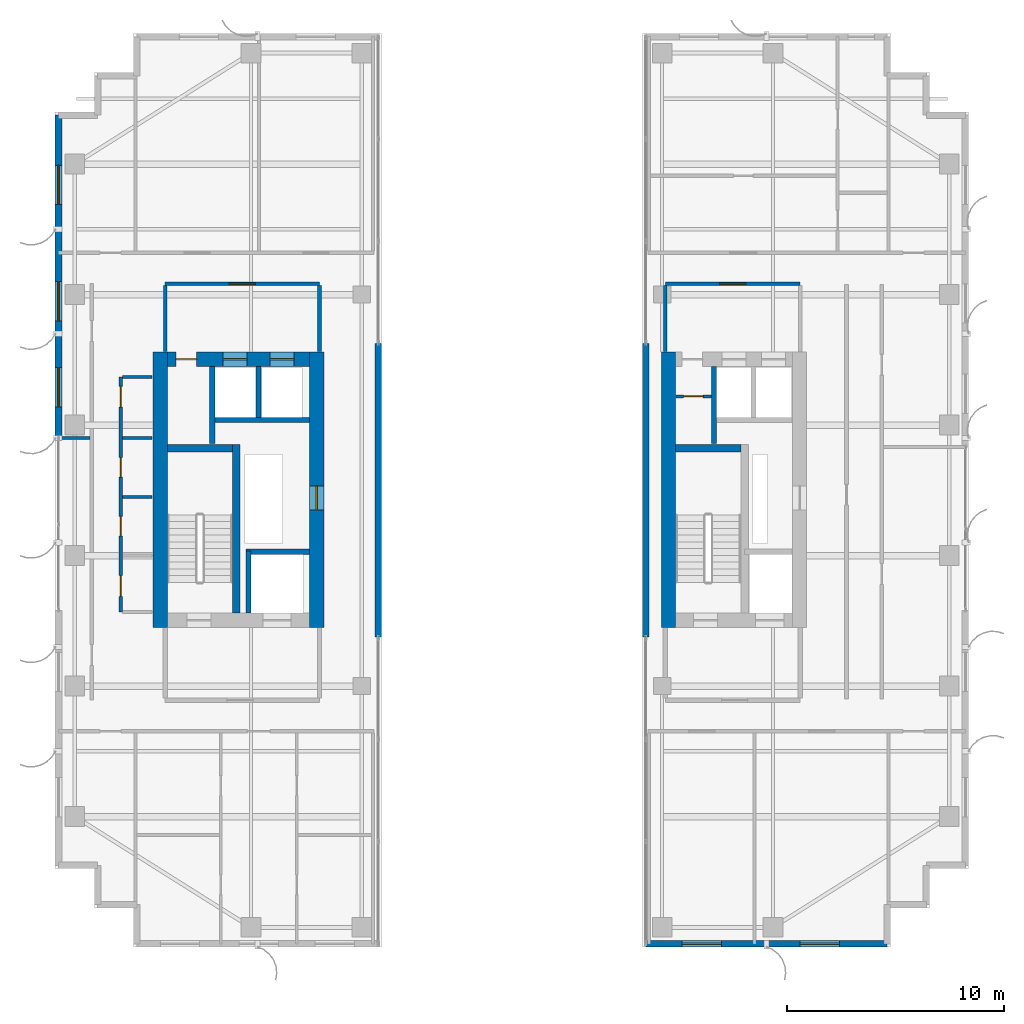
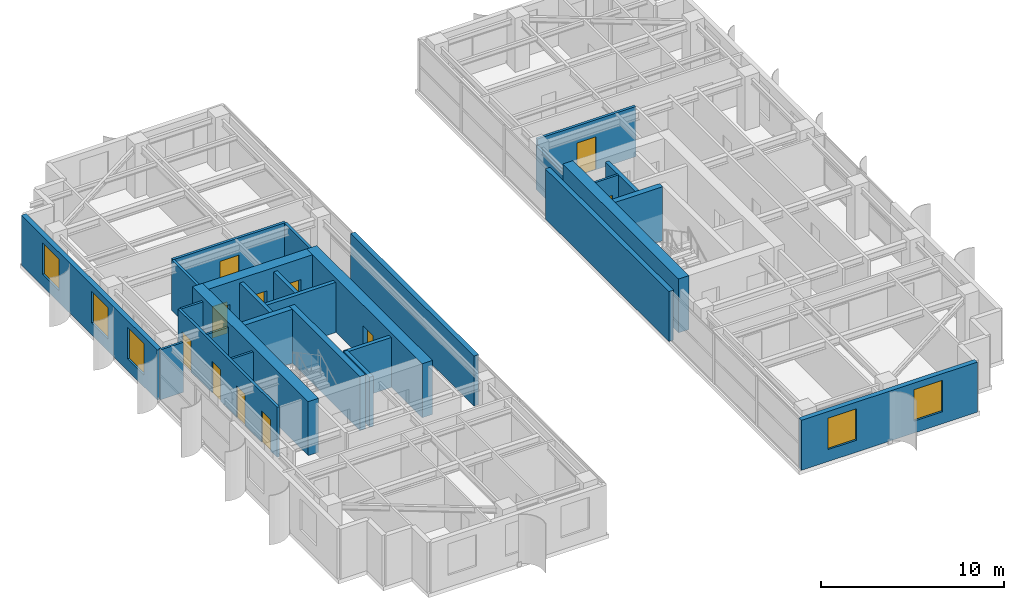
# One storey, part 17 of 22: 28 walls, 11 doors, 5 windows, 16 openings.
"""IFC4 building model written with IfcOpenShell, lengths in metres."""

from ifc_helpers import new_model, si_unit, direction, frame, frame_2d, origin, place, context, subcontext, project, spatial, rectangle, extrude, source, transform, mapped, material, layer, layer_set, type_object, element, fill, save


model = new_model("IFC4")

# Units and contexts
model_context = context("Model", 3, precision=1e-05, world=origin(), true_north=direction((0.0, 1.0)))
body_context = subcontext(model_context, "Body", "Model", "MODEL_VIEW")
ifc_project = project(units=[si_unit("LENGTHUNIT", "METRE"), si_unit("AREAUNIT", "SQUARE_METRE"), si_unit("VOLUMEUNIT", "CUBIC_METRE"), si_unit("PLANEANGLEUNIT", "RADIAN"), si_unit("MASSUNIT", "GRAM", prefix="KILO")], contexts=[model_context])

# Site, building, storey
site_placement = place(None, origin())
site = spatial("IfcSite", under=ifc_project, at=site_placement, CompositionType="ELEMENT")
building_placement = place(site_placement, origin())
building = spatial("IfcBuilding", under=site, at=building_placement, Name="Khoralis Quay Care Tower", CompositionType="ELEMENT")
storey_placement = place(building_placement, frame((0.0, 0.0, 209.699951171875)))
storey = spatial("IfcBuildingStorey", under=building, at=storey_placement, Name="L55", CompositionType="ELEMENT", Elevation=209.699951171875)

# Wall
ifc_material_1 = material(Name="Concrete C65/80", Category="concrete")
ifc_layer_1 = layer(ifc_material_1, 0.64990234375)
ifc_layer_set_1 = layer_set([ifc_layer_1], Name="Concrete C65/80")
wall_type_1 = type_object("IfcWallType", Name="WL-CORE-650", PredefinedType="SHEAR", material=ifc_layer_set_1)
wall_1_placement = place(storey_placement, frame((7.824951171875, 14.699951171875, 0.0), z_axis=(0.0, 0.0, 1.0), x_axis=(0.0, 1.0, 0.0)))
element("IfcWall", 1, at=wall_1_placement, inside=storey, type_object=wall_type_1, Name="L55 WCORE West Shear Wall", PredefinedType="SHEAR", context=body_context, shape_type="SweptSolid", body=[
    extrude(rectangle(XDim=12.650146484375, YDim=0.64990234375, at=frame_2d((6.3251953125, 0.0))), origin(), (0.0, 0.0, 1.0), 3.60009765625),
])

# Wall, opening, door
wall_2_placement = place(storey_placement, frame((15.02490234375, 14.699951171875, 0.0), z_axis=(0.0, 0.0, 1.0), x_axis=(0.0, 1.0, 0.0)))
wall_2 = element("IfcWall", 2, at=wall_2_placement, inside=storey, type_object=wall_type_1, Name="L55 WCORE East Shear Wall", PredefinedType="SHEAR", context=body_context, shape_type="SweptSolid", body=[
    extrude(rectangle(XDim=12.650146484375, YDim=0.64990234375, at=frame_2d((6.3251953125, 0.0))), origin(), (0.0, 0.0, 1.0), 3.60009765625),
])
opening_1_placement = place(wall_2_placement, frame((5.39990234375, 0.0, 0.0)))
opening_1 = element("IfcOpeningElement", 3, at=opening_1_placement, cuts=wall_2, Name="Opening SD1", PredefinedType="OPENING", context=body_context, shape_type="SweptSolid", body=[
    extrude(rectangle(XDim=1.10009765625, YDim=2.199951171875, at=frame_2d((0.550048828125, 1.10009765625))), frame((0.0, 0.3349609375, 0.0), z_axis=(0.0, -1.0, 0.0), x_axis=(1.0, 0.0, 0.0)), (0.0, 0.0, 1.0), 0.669921875),
])
ifc_material_2 = material(Name="Fire-rated painted steel", Category="steel")
door_type_1 = type_object("IfcDoorType", Name="DR-STAIR-1100X2200", OperationType="NOTDEFINED", PredefinedType="DOOR", material=ifc_material_2)
shared_shape_1 = source(origin(), body_context, "Body", "SweptSolid", [
    extrude(rectangle(XDim=1.10009765625, YDim=2.199951171875, at=frame_2d((0.550048828125, 1.10009765625))), frame((0.0, 0.02490234375, 0.0), z_axis=(0.0, -1.0, 0.0), x_axis=(1.0, 0.0, 0.0)), (0.0, 0.0, 1.0), 0.050048828125),
])
door_1_placement = place(opening_1_placement, origin())
door_1 = element("IfcDoor", 4, at=door_1_placement, inside=storey, type_object=door_type_1, Name="L55 West MEP Riser Door", OperationType="SINGLE_SWING_LEFT", OverallHeight=2.199951171875, OverallWidth=1.10009765625, PredefinedType="DOOR", context=body_context, shape_type="MappedRepresentation", body=[
    mapped(shared_shape_1, transform((0.0, 0.0, 0.0), scale=1.0)),
])
fill(opening_1, door_1)

# Wall, openings, doors
wall_3_placement = place(storey_placement, frame((8.14990234375, 27.02490234375, 0.0), z_axis=(0.0, 0.0, 1.0), x_axis=(1.0, 0.0, 0.0)))
wall_3 = element("IfcWall", 5, at=wall_3_placement, inside=storey, type_object=wall_type_1, Name="L55 WCORE North Shear Wall", PredefinedType="SHEAR", context=body_context, shape_type="SweptSolid", body=[
    extrude(rectangle(XDim=6.550048828125, YDim=0.64990234375, at=frame_2d((3.27490234375, 0.0))), origin(), (0.0, 0.0, 1.0), 3.60009765625),
])
opening_2_placement = place(wall_3_placement, frame((0.39990234375, 0.0, 0.0)))
opening_2 = element("IfcOpeningElement", 6, at=opening_2_placement, cuts=wall_3, Name="Opening ID1", PredefinedType="OPENING", context=body_context, shape_type="SweptSolid", body=[
    extrude(rectangle(XDim=0.949951171875, YDim=2.10009765625, at=frame_2d((0.47509765625, 1.050048828125))), frame((0.0, 0.3349609375, 0.0), z_axis=(0.0, -1.0, 0.0), x_axis=(1.0, 0.0, 0.0)), (0.0, 0.0, 1.0), 0.669921875),
])
opening_3_placement = place(wall_3_placement, frame((2.570068359375, 0.0, 0.0)))
opening_3 = element("IfcOpeningElement", 7, at=opening_3_placement, cuts=wall_3, Name="Opening LD1", PredefinedType="OPENING", context=body_context, shape_type="SweptSolid", body=[
    extrude(rectangle(XDim=1.10009765625, YDim=2.199951171875, at=frame_2d((0.550048828125, 1.10009765625))), frame((0.0, 0.3349609375, 0.0), z_axis=(0.0, -1.0, 0.0), x_axis=(1.0, 0.0, 0.0)), (0.0, 0.0, 1.0), 0.669921875),
])
opening_4_placement = place(wall_3_placement, frame((4.72998046875, 0.0, 0.0)))
opening_4 = element("IfcOpeningElement", 8, at=opening_4_placement, cuts=wall_3, Name="Opening LD1", PredefinedType="OPENING", context=body_context, shape_type="SweptSolid", body=[
    extrude(rectangle(XDim=1.10009765625, YDim=2.199951171875, at=frame_2d((0.550048828125, 1.10009765625))), frame((0.0, 0.3349609375, 0.0), z_axis=(0.0, -1.0, 0.0), x_axis=(1.0, 0.0, 0.0)), (0.0, 0.0, 1.0), 0.669921875),
])
ifc_material_3 = material(Name="Brushed stainless steel", Category="steel")
door_type_2 = type_object("IfcDoorType", Name="DR-LIFT-1100X2200", OperationType="SLIDING_TO_LEFT", PredefinedType="DOOR", material=ifc_material_3)
shared_shape_2 = source(origin(), body_context, "Body", "SweptSolid", [
    extrude(rectangle(XDim=1.10009765625, YDim=2.199951171875, at=frame_2d((0.550048828125, 1.10009765625))), frame((0.0, 0.02490234375, 0.0), z_axis=(0.0, -1.0, 0.0), x_axis=(1.0, 0.0, 0.0)), (0.0, 0.0, 1.0), 0.050048828125),
])
door_2_placement = place(opening_3_placement, origin())
door_2 = element("IfcDoor", 9, at=door_2_placement, inside=storey, type_object=door_type_2, Name="L55 Lift PLM1 Landing Door", OperationType="SLIDING_TO_LEFT", OverallHeight=2.199951171875, OverallWidth=1.10009765625, PredefinedType="DOOR", context=body_context, shape_type="MappedRepresentation", body=[
    mapped(shared_shape_2, transform((0.0, 0.0, 0.0), scale=1.0)),
])
fill(opening_3, door_2)
door_3_placement = place(opening_4_placement, origin())
door_3 = element("IfcDoor", 10, at=door_3_placement, inside=storey, type_object=door_type_2, Name="L55 Lift PLH1 Landing Door", OperationType="SLIDING_TO_LEFT", OverallHeight=2.199951171875, OverallWidth=1.10009765625, PredefinedType="DOOR", context=body_context, shape_type="MappedRepresentation", body=[
    mapped(shared_shape_2, transform((0.0, 0.0, 0.0), scale=1.0)),
])
fill(opening_4, door_3)
ifc_material_4 = material(Name="Acoustic hardwood timber", Category="wood")
door_type_3 = type_object("IfcDoorType", Name="DR-ROOM-950X2100", OperationType="NOTDEFINED", PredefinedType="DOOR", material=ifc_material_4)
shared_shape_3 = source(origin(), body_context, "Body", "SweptSolid", [
    extrude(rectangle(XDim=0.949951171875, YDim=2.10009765625, at=frame_2d((0.47509765625, 1.050048828125))), frame((0.0, 0.02490234375, 0.0), z_axis=(0.0, -1.0, 0.0), x_axis=(1.0, 0.0, 0.0)), (0.0, 0.0, 1.0), 0.050048828125),
])
door_4_placement = place(opening_2_placement, frame((0.949951171875, 0.0, 0.0), z_axis=(0.0, 0.0, 1.0), x_axis=(-1.0, 0.0, 0.0)))
door_4 = element("IfcDoor", 11, at=door_4_placement, inside=storey, type_object=door_type_3, Name="L55 Medication Room Door", OperationType="SINGLE_SWING_LEFT", OverallHeight=2.10009765625, OverallWidth=0.949951171875, PredefinedType="DOOR", context=body_context, shape_type="MappedRepresentation", body=[
    mapped(shared_shape_3, transform((0.0, 0.0, 0.0), scale=1.0)),
])
fill(opening_2, door_4)

# Wall
wall_4_placement = place(storey_placement, frame((31.195068359375, 14.699951171875, 0.0), z_axis=(0.0, 0.0, 1.0), x_axis=(0.0, 1.0, 0.0)))
element("IfcWall", 12, at=wall_4_placement, inside=storey, type_object=wall_type_1, Name="L55 ECORE West Shear Wall", PredefinedType="SHEAR", context=body_context, shape_type="SweptSolid", body=[
    extrude(rectangle(XDim=12.650146484375, YDim=0.64990234375, at=frame_2d((6.3251953125, 0.0))), origin(), (0.0, 0.0, 1.0), 3.60009765625),
])

# Wall, opening, door
ifc_material_5 = material(Name="Gypsum plasterboard on acoustic metal stud")
ifc_layer_2 = layer(ifc_material_5, 0.1650390625)
ifc_layer_set_2 = layer_set([ifc_layer_2], Name="Gypsum plasterboard on acoustic metal stud")
wall_type_2 = type_object("IfcWallType", Name="WL-CORR-165", PredefinedType="PARTITIONING", material=ifc_layer_set_2)
wall_5_placement = place(storey_placement, frame((8.050048828125, 30.5, 0.0), z_axis=(0.0, 0.0, 1.0), x_axis=(1.0, 0.0, 0.0)))
wall_5 = element("IfcWall", 13, at=wall_5_placement, inside=storey, type_object=wall_type_2, Name="L55 West Lift Lobby North Wall", PredefinedType="PARTITIONING", context=body_context, shape_type="SweptSolid", body=[
    extrude(rectangle(XDim=7.099853515625, YDim=0.1650390625, at=frame_2d((3.5498046875, 0.0))), origin(), (0.0, 0.0, 1.0), 3.340087890625),
])
opening_5_placement = place(wall_5_placement, frame((2.949951171875, 0.0, 0.0)))
opening_5 = element("IfcOpeningElement", 14, at=opening_5_placement, cuts=wall_5, Name="Opening FD1", PredefinedType="OPENING", context=body_context, shape_type="SweptSolid", body=[
    extrude(rectangle(XDim=1.199951171875, YDim=2.199951171875, at=frame_2d((0.60009765625, 1.10009765625))), frame((0.0, 0.092529296875, 0.0), z_axis=(0.0, -1.0, 0.0), x_axis=(1.0, 0.0, 0.0)), (0.0, 0.0, 1.0), 0.18505859375),
])
door_type_4 = type_object("IfcDoorType", Name="DR-FFL-1200X2200", OperationType="NOTDEFINED", PredefinedType="DOOR", material=ifc_material_2)
shared_shape_4 = source(origin(), body_context, "Body", "SweptSolid", [
    extrude(rectangle(XDim=1.199951171875, YDim=2.199951171875, at=frame_2d((0.60009765625, 1.10009765625))), frame((0.0, 0.02490234375, 0.0), z_axis=(0.0, -1.0, 0.0), x_axis=(1.0, 0.0, 0.0)), (0.0, 0.0, 1.0), 0.050048828125),
])
door_5_placement = place(opening_5_placement, origin())
door_5 = element("IfcDoor", 15, at=door_5_placement, inside=storey, type_object=door_type_4, Name="L55 West Lift Lobby Double Door", OperationType="DOUBLE_DOOR_SINGLE_SWING", OverallHeight=2.199951171875, OverallWidth=1.199951171875, PredefinedType="DOOR", context=body_context, shape_type="MappedRepresentation", body=[
    mapped(shared_shape_4, transform((0.0, 0.0, 0.0), scale=1.0)),
])
fill(opening_5, door_5)

# Walls
for number, where, z_axis, x_axis, name in (
    (16, (8.050048828125, 27.3701171875, 0.0), (0.0, 0.0, 1.0), (0.0, 1.0, 0.0), "L55 West Lift Lobby West Wall"),
    (17, (15.14990234375, 27.3701171875, 0.0), (0.0, 0.0, 1.0), (0.0, 1.0, 0.0), "L55 West Lift Lobby East Wall"),
):
    element("IfcWall", number, at=place(storey_placement, frame(where, z_axis=z_axis, x_axis=x_axis)), inside=storey, type_object=wall_type_2, Name=name, PredefinedType="PARTITIONING", context=body_context, shape_type="SweptSolid", body=[
        extrude(rectangle(XDim=3.052490234375, YDim=0.1650390625, at=frame_2d((1.5263671875, 0.0))), origin(), (0.0, 0.0, 1.0), 3.340087890625),
    ])

# Wall, opening, door
wall_6_placement = place(storey_placement, frame((31.050048828125, 30.5, 0.0), z_axis=(0.0, 0.0, 1.0), x_axis=(1.0, 0.0, 0.0)))
wall_6 = element("IfcWall", 18, at=wall_6_placement, inside=storey, type_object=wall_type_2, Name="L55 East Lift Lobby North Wall", PredefinedType="PARTITIONING", context=body_context, shape_type="SweptSolid", body=[
    extrude(rectangle(XDim=6.199951171875, YDim=0.1650390625, at=frame_2d((3.10009765625, 0.0))), origin(), (0.0, 0.0, 1.0), 3.340087890625),
])
opening_6_placement = place(wall_6_placement, frame((2.5, 0.0, 0.0)))
opening_6 = element("IfcOpeningElement", 19, at=opening_6_placement, cuts=wall_6, Name="Opening FD1", PredefinedType="OPENING", context=body_context, shape_type="SweptSolid", body=[
    extrude(rectangle(XDim=1.199951171875, YDim=2.199951171875, at=frame_2d((0.60009765625, 1.10009765625))), frame((0.0, 0.092529296875, 0.0), z_axis=(0.0, -1.0, 0.0), x_axis=(1.0, 0.0, 0.0)), (0.0, 0.0, 1.0), 0.18505859375),
])
door_6_placement = place(opening_6_placement, origin())
door_6 = element("IfcDoor", 20, at=door_6_placement, inside=storey, type_object=door_type_4, Name="L55 East Lift Lobby Double Door", OperationType="DOUBLE_DOOR_SINGLE_SWING", OverallHeight=2.199951171875, OverallWidth=1.199951171875, PredefinedType="DOOR", context=body_context, shape_type="MappedRepresentation", body=[
    mapped(shared_shape_4, transform((0.0, 0.0, 0.0), scale=1.0)),
])
fill(opening_6, door_6)

# Wall
wall_7_placement = place(storey_placement, frame((31.050048828125, 27.3701171875, 0.0), z_axis=(0.0, 0.0, 1.0), x_axis=(0.0, 1.0, 0.0)))
element("IfcWall", 21, at=wall_7_placement, inside=storey, type_object=wall_type_2, Name="L55 East Lift Lobby West Wall", PredefinedType="PARTITIONING", context=body_context, shape_type="SweptSolid", body=[
    extrude(rectangle(XDim=3.052490234375, YDim=0.1650390625, at=frame_2d((1.5263671875, 0.0))), origin(), (0.0, 0.0, 1.0), 2.881103515625),
])

# Wall, openings, doors
wall_8_placement = place(storey_placement, frame((6.02001953125, 15.39990234375, 0.0), z_axis=(0.0, 0.0, 1.0), x_axis=(0.0, 1.0, 0.0)))
wall_8 = element("IfcWall", 22, at=wall_8_placement, inside=storey, type_object=wall_type_2, Name="L55 West Core Service Flank Wall", PredefinedType="PARTITIONING", context=body_context, shape_type="SweptSolid", body=[
    extrude(rectangle(XDim=10.800048828125, YDim=0.1650390625, at=frame_2d((5.39990234375, 0.0))), origin(), (0.0, 0.0, 1.0), 3.340087890625),
])
opening_7_placement = place(wall_8_placement, frame((0.72509765625, 0.0, 0.0)))
opening_7 = element("IfcOpeningElement", 23, at=opening_7_placement, cuts=wall_8, Name="Opening ID1", PredefinedType="OPENING", context=body_context, shape_type="SweptSolid", body=[
    extrude(rectangle(XDim=0.949951171875, YDim=2.10009765625, at=frame_2d((0.47509765625, 1.050048828125))), frame((0.0, 0.092529296875, 0.0), z_axis=(0.0, -1.0, 0.0), x_axis=(1.0, 0.0, 0.0)), (0.0, 0.0, 1.0), 0.18505859375),
])
opening_8_placement = place(wall_8_placement, frame((3.5, 0.0, 0.0)))
opening_8 = element("IfcOpeningElement", 24, at=opening_8_placement, cuts=wall_8, Name="Opening WD1", PredefinedType="OPENING", context=body_context, shape_type="SweptSolid", body=[
    extrude(rectangle(XDim=0.89990234375, YDim=2.10009765625, at=frame_2d((0.449951171875, 1.050048828125))), frame((0.0, 0.092529296875, 0.0), z_axis=(0.0, -1.0, 0.0), x_axis=(1.0, 0.0, 0.0)), (0.0, 0.0, 1.0), 0.18505859375),
])
opening_9_placement = place(wall_8_placement, frame((6.199951171875, 0.0, 0.0)))
opening_9 = element("IfcOpeningElement", 25, at=opening_9_placement, cuts=wall_8, Name="Opening WD1", PredefinedType="OPENING", context=body_context, shape_type="SweptSolid", body=[
    extrude(rectangle(XDim=0.89990234375, YDim=2.10009765625, at=frame_2d((0.449951171875, 1.050048828125))), frame((0.0, 0.092529296875, 0.0), z_axis=(0.0, -1.0, 0.0), x_axis=(1.0, 0.0, 0.0)), (0.0, 0.0, 1.0), 0.18505859375),
])
opening_10_placement = place(wall_8_placement, frame((9.425048828125, 0.0, 0.0)))
opening_10 = element("IfcOpeningElement", 26, at=opening_10_placement, cuts=wall_8, Name="Opening ID1", PredefinedType="OPENING", context=body_context, shape_type="SweptSolid", body=[
    extrude(rectangle(XDim=0.949951171875, YDim=2.10009765625, at=frame_2d((0.47509765625, 1.050048828125))), frame((0.0, 0.092529296875, 0.0), z_axis=(0.0, -1.0, 0.0), x_axis=(1.0, 0.0, 0.0)), (0.0, 0.0, 1.0), 0.18505859375),
])
door_type_5 = type_object("IfcDoorType", Name="DR-BATH-900X2100", OperationType="NOTDEFINED", PredefinedType="DOOR", material=ifc_material_4)
shared_shape_5 = source(origin(), body_context, "Body", "SweptSolid", [
    extrude(rectangle(XDim=0.89990234375, YDim=2.10009765625, at=frame_2d((0.449951171875, 1.050048828125))), frame((0.0, 0.02490234375, 0.0), z_axis=(0.0, -1.0, 0.0), x_axis=(1.0, 0.0, 0.0)), (0.0, 0.0, 1.0), 0.050048828125),
])
door_7_placement = place(opening_8_placement, frame((0.89990234375, 0.0, 0.0), z_axis=(0.0, 0.0, 1.0), x_axis=(-1.0, 0.0, 0.0)))
door_7 = element("IfcDoor", 27, at=door_7_placement, inside=storey, type_object=door_type_5, Name="L55 Public Accessible WC Door", OperationType="SINGLE_SWING_LEFT", OverallHeight=2.10009765625, OverallWidth=0.89990234375, PredefinedType="DOOR", context=body_context, shape_type="MappedRepresentation", body=[
    mapped(shared_shape_5, transform((0.0, 0.0, 0.0), scale=1.0)),
])
fill(opening_8, door_7)
door_8_placement = place(opening_9_placement, frame((0.89990234375, 0.0, 0.0), z_axis=(0.0, 0.0, 1.0), x_axis=(-1.0, 0.0, 0.0)))
door_8 = element("IfcDoor", 28, at=door_8_placement, inside=storey, type_object=door_type_5, Name="L55 Staff Accessible WC Door", OperationType="SINGLE_SWING_RIGHT", OverallHeight=2.10009765625, OverallWidth=0.89990234375, PredefinedType="DOOR", context=body_context, shape_type="MappedRepresentation", body=[
    mapped(shared_shape_5, transform((0.0, 0.0, 0.0), scale=1.0)),
])
fill(opening_9, door_8)
door_9_placement = place(opening_7_placement, frame((0.949951171875, 0.0, 0.0), z_axis=(0.0, 0.0, 1.0), x_axis=(-1.0, 0.0, 0.0)))
door_9 = element("IfcDoor", 29, at=door_9_placement, inside=storey, type_object=door_type_3, Name="L55 Housekeeping Store Door", OperationType="SINGLE_SWING_RIGHT", OverallHeight=2.10009765625, OverallWidth=0.949951171875, PredefinedType="DOOR", context=body_context, shape_type="MappedRepresentation", body=[
    mapped(shared_shape_3, transform((0.0, 0.0, 0.0), scale=1.0)),
])
fill(opening_7, door_9)
door_10_placement = place(opening_10_placement, frame((0.949951171875, 0.0, 0.0), z_axis=(0.0, 0.0, 1.0), x_axis=(-1.0, 0.0, 0.0)))
door_10 = element("IfcDoor", 30, at=door_10_placement, inside=storey, type_object=door_type_3, Name="L55 Telecom IDF Room Door", OperationType="SINGLE_SWING_LEFT", OverallHeight=2.10009765625, OverallWidth=0.949951171875, PredefinedType="DOOR", context=body_context, shape_type="MappedRepresentation", body=[
    mapped(shared_shape_3, transform((0.0, 0.0, 0.0), scale=1.0)),
])
fill(opening_10, door_10)

# Wall
ifc_material_6 = material(Name="Precast concrete C45/55", Category="concrete")
ifc_layer_3 = layer(ifc_material_6, 0.300048828125)
ifc_layer_set_3 = layer_set([ifc_layer_3], Name="Precast concrete C45/55")
wall_type_3 = type_object("IfcWallType", Name="WL-EXT-REF-300", PredefinedType="SOLIDWALL", material=ifc_layer_set_3)
wall_9_placement = place(storey_placement, frame((17.85009765625, 14.25, 0.0), z_axis=(0.0, 0.0, 1.0), x_axis=(0.0, 1.0, 0.0)))
element("IfcWall", 31, at=wall_9_placement, inside=storey, type_object=wall_type_3, Name="L55 External Facade Wall WL-VP-L55-P1-M", PredefinedType="SOLIDWALL", context=body_context, shape_type="SweptSolid", body=[
    extrude(rectangle(XDim=13.5, YDim=0.300048828125, at=frame_2d((6.75, 0.0))), origin(), (0.0, 0.0, 1.0), 3.340087890625),
])

# Wall, openings, windows
wall_10_placement = place(storey_placement, frame((3.14990234375, 38.25, 0.0), z_axis=(0.0, 0.0, 1.0), x_axis=(0.0, -1.0, 0.0)))
wall_10 = element("IfcWall", 32, at=wall_10_placement, inside=storey, type_object=wall_type_3, Name="L55 External Facade Wall WL-EXT-L55-P1-E7A", PredefinedType="SOLIDWALL", context=body_context, shape_type="SweptSolid", body=[
    extrude(rectangle(XDim=14.85009765625, YDim=0.300048828125, at=frame_2d((7.425048828125, 0.0))), origin(), (0.0, 0.0, 1.0), 3.340087890625),
])
opening_11_placement = place(wall_10_placement, frame((2.31005859375, 0.0, 0.800048828125)))
opening_11 = element("IfcOpeningElement", 33, at=opening_11_placement, cuts=wall_10, Name="Opening W2", PredefinedType="OPENING", context=body_context, shape_type="SweptSolid", body=[
    extrude(rectangle(XDim=1.800048828125, YDim=2.10009765625, at=frame_2d((0.89990234375, 1.050048828125))), frame((0.0, 0.16015625, 0.0), z_axis=(0.0, -1.0, 0.0), x_axis=(1.0, 0.0, 0.0)), (0.0, 0.0, 1.0), 0.320068359375),
])
opening_12_placement = place(wall_10_placement, frame((7.657470703125, 0.0, 0.800048828125)))
opening_12 = element("IfcOpeningElement", 34, at=opening_12_placement, cuts=wall_10, Name="Opening W2", PredefinedType="OPENING", context=body_context, shape_type="SweptSolid", body=[
    extrude(rectangle(XDim=1.800048828125, YDim=2.10009765625, at=frame_2d((0.89990234375, 1.050048828125))), frame((0.0, 0.16015625, 0.0), z_axis=(0.0, -1.0, 0.0), x_axis=(1.0, 0.0, 0.0)), (0.0, 0.0, 1.0), 0.320068359375),
])
opening_13_placement = place(wall_10_placement, frame((11.612548828125, 0.0, 0.800048828125)))
opening_13 = element("IfcOpeningElement", 35, at=opening_13_placement, cuts=wall_10, Name="Opening W2", PredefinedType="OPENING", context=body_context, shape_type="SweptSolid", body=[
    extrude(rectangle(XDim=1.800048828125, YDim=2.10009765625, at=frame_2d((0.89990234375, 1.050048828125))), frame((0.0, 0.16015625, 0.0), z_axis=(0.0, -1.0, 0.0), x_axis=(1.0, 0.0, 0.0)), (0.0, 0.0, 1.0), 0.320068359375),
])
ifc_material_7 = material(Name="Low-E solar-control double glazing", Category="glass")
window_type = type_object("IfcWindowType", Name="WN-POD-1800X2100", PartitioningType="SINGLE_PANEL", PredefinedType="WINDOW", material=ifc_material_7)
shared_shape_6 = source(origin(), body_context, "Body", "SweptSolid", [
    extrude(rectangle(XDim=1.800048828125, YDim=2.10009765625, at=frame_2d((0.89990234375, 1.050048828125))), frame((0.0, 0.030029296875, 0.0), z_axis=(0.0, -1.0, 0.0), x_axis=(1.0, 0.0, 0.0)), (0.0, 0.0, 1.0), 0.06005859375),
])
window_1_placement = place(opening_11_placement, origin())
window_1 = element("IfcWindow", 36, at=window_1_placement, inside=storey, type_object=window_type, Name="WN-L55-P1-E7A Facade Window 01", OverallHeight=2.10009765625, OverallWidth=1.800048828125, PartitioningType="SINGLE_PANEL", PredefinedType="WINDOW", context=body_context, shape_type="MappedRepresentation", body=[
    mapped(shared_shape_6, transform((0.0, 0.0, 0.0), scale=1.0)),
])
fill(opening_11, window_1)
window_2_placement = place(opening_12_placement, origin())
window_2 = element("IfcWindow", 37, at=window_2_placement, inside=storey, type_object=window_type, Name="WN-L55-P1-E7A Facade Window 02", OverallHeight=2.10009765625, OverallWidth=1.800048828125, PartitioningType="SINGLE_PANEL", PredefinedType="WINDOW", context=body_context, shape_type="MappedRepresentation", body=[
    mapped(shared_shape_6, transform((0.0, 0.0, 0.0), scale=1.0)),
])
fill(opening_12, window_2)
window_3_placement = place(opening_13_placement, origin())
window_3 = element("IfcWindow", 38, at=window_3_placement, inside=storey, type_object=window_type, Name="WN-L55-P1-E7A Facade Window 03", OverallHeight=2.10009765625, OverallWidth=1.800048828125, PartitioningType="SINGLE_PANEL", PredefinedType="WINDOW", context=body_context, shape_type="MappedRepresentation", body=[
    mapped(shared_shape_6, transform((0.0, 0.0, 0.0), scale=1.0)),
])
fill(opening_13, window_3)

wall_11_placement = place(storey_placement, frame((30.14990234375, 0.14990234375, 0.0), z_axis=(0.0, 0.0, 1.0), x_axis=(1.0, 0.0, 0.0)))
wall_11 = element("IfcWall", 39, at=wall_11_placement, inside=storey, type_object=wall_type_3, Name="L55 External Facade Wall WL-EXT-L55-P2-E0", PredefinedType="SOLIDWALL", context=body_context, shape_type="SweptSolid", body=[
    extrude(rectangle(XDim=11.10009765625, YDim=0.300048828125, at=frame_2d((5.550048828125, 0.0))), origin(), (0.0, 0.0, 1.0), 3.340087890625),
])
opening_14_placement = place(wall_11_placement, frame((1.675048828125, 0.0, 0.800048828125)))
opening_14 = element("IfcOpeningElement", 40, at=opening_14_placement, cuts=wall_11, Name="Opening W2", PredefinedType="OPENING", context=body_context, shape_type="SweptSolid", body=[
    extrude(rectangle(XDim=1.800048828125, YDim=2.10009765625, at=frame_2d((0.89990234375, 1.050048828125))), frame((0.0, 0.16015625, 0.0), z_axis=(0.0, -1.0, 0.0), x_axis=(1.0, 0.0, 0.0)), (0.0, 0.0, 1.0), 0.320068359375),
])
opening_15_placement = place(wall_11_placement, frame((7.10009765625, 0.0, 0.800048828125)))
opening_15 = element("IfcOpeningElement", 41, at=opening_15_placement, cuts=wall_11, Name="Opening W2", PredefinedType="OPENING", context=body_context, shape_type="SweptSolid", body=[
    extrude(rectangle(XDim=1.800048828125, YDim=2.10009765625, at=frame_2d((0.89990234375, 1.050048828125))), frame((0.0, 0.16015625, 0.0), z_axis=(0.0, -1.0, 0.0), x_axis=(1.0, 0.0, 0.0)), (0.0, 0.0, 1.0), 0.320068359375),
])
window_4_placement = place(opening_14_placement, origin())
window_4 = element("IfcWindow", 42, at=window_4_placement, inside=storey, type_object=window_type, Name="WN-L55-P2-E0 Facade Window 01", OverallHeight=2.10009765625, OverallWidth=1.800048828125, PartitioningType="SINGLE_PANEL", PredefinedType="WINDOW", context=body_context, shape_type="MappedRepresentation", body=[
    mapped(shared_shape_6, transform((0.0, 0.0, 0.0), scale=1.0)),
])
fill(opening_14, window_4)
window_5_placement = place(opening_15_placement, origin())
window_5 = element("IfcWindow", 43, at=window_5_placement, inside=storey, type_object=window_type, Name="WN-L55-P2-E0 Facade Window 02", OverallHeight=2.10009765625, OverallWidth=1.800048828125, PartitioningType="SINGLE_PANEL", PredefinedType="WINDOW", context=body_context, shape_type="MappedRepresentation", body=[
    mapped(shared_shape_6, transform((0.0, 0.0, 0.0), scale=1.0)),
])
fill(opening_15, window_5)

# Walls
wall_12_placement = place(storey_placement, frame((30.14990234375, 14.25, 0.0), z_axis=(0.0, 0.0, 1.0), x_axis=(0.0, 1.0, 0.0)))
element("IfcWall", 44, at=wall_12_placement, inside=storey, type_object=wall_type_3, Name="L55 External Facade Wall WL-VP-L55-P2-M", PredefinedType="SOLIDWALL", context=body_context, shape_type="SweptSolid", body=[
    extrude(rectangle(XDim=13.5, YDim=0.300048828125, at=frame_2d((6.75, 0.0))), origin(), (0.0, 0.0, 1.0), 3.340087890625),
])
ifc_material_8 = material(Name="Moisture-resistant gypsum and ceramic tile")
ifc_layer_4 = layer(ifc_material_8, 0.280029296875)
ifc_layer_set_4 = layer_set([ifc_layer_4], Name="Moisture-resistant gypsum and ceramic tile")
wall_type_4 = type_object("IfcWallType", Name="WL-PLUMB-280", PredefinedType="PLUMBINGWALL", material=ifc_layer_set_4)
wall_13_placement = place(storey_placement, frame((6.097412109375, 20.699951171875, 0.0), z_axis=(0.0, 0.0, 1.0), x_axis=(1.0, 0.0, 0.0)))
element("IfcWall", 45, at=wall_13_placement, inside=storey, type_object=wall_type_4, Name="L55 West Flank Divider 2", PredefinedType="PLUMBINGWALL", context=body_context, shape_type="SweptSolid", body=[
    extrude(rectangle(XDim=1.362548828125, YDim=0.139892578125, at=frame_2d((0.68115234375, 0.0))), origin(), (0.0, 0.0, 1.0), 3.340087890625),
])
ifc_material_9 = material(Name="Concrete C40/50", Category="concrete")
ifc_layer_5 = layer(ifc_material_9, 0.35009765625)
ifc_layer_set_5 = layer_set([ifc_layer_5], Name="Concrete C40/50")
wall_type_5 = type_object("IfcWallType", Name="WL-SC-CORE-350", PredefinedType="SHEAR", material=ifc_layer_set_5)
wall_14_placement = place(storey_placement, frame((11.324951171875, 15.35009765625, 0.0), z_axis=(0.0, 0.0, 1.0), x_axis=(0.0, 1.0, 0.0)))
element("IfcWall", 46, at=wall_14_placement, inside=storey, type_object=wall_type_5, Name="L55 Stair ST-T1 Shear Baffle Wall East", PredefinedType="SHEAR", context=body_context, shape_type="SweptSolid", body=[
    extrude(rectangle(XDim=7.75, YDim=0.35009765625, at=frame_2d((3.875, 0.0))), origin(), (0.0, 0.0, 1.0), 3.60009765625),
])
for number, where, z_axis, x_axis, name in (
    (47, (8.14990234375, 22.925048828125, 0.0), (0.0, 0.0, 1.0), (1.0, 0.0, 0.0), "L55 Stair ST-T1 Shear Baffle Wall North"),
    (48, (31.52001953125, 22.925048828125, 0.0), (0.0, 0.0, 1.0), (1.0, 0.0, 0.0), "L55 Stair ST-T2 Shear Baffle Wall North"),
):
    element("IfcWall", number, at=place(storey_placement, frame(where, z_axis=z_axis, x_axis=x_axis)), inside=storey, type_object=wall_type_5, Name=name, PredefinedType="SHEAR", context=body_context, shape_type="SweptSolid", body=[
        extrude(rectangle(XDim=3.0, YDim=0.35009765625, at=frame_2d((1.5, 0.0))), origin(), (0.0, 0.0, 1.0), 3.60009765625),
    ])
ifc_layer_6 = layer(ifc_material_5, 0.239990234375)
ifc_layer_set_6 = layer_set([ifc_layer_6], Name="Gypsum plasterboard on acoustic metal stud")
wall_type_6 = type_object("IfcWallType", Name="WL-SHAFT-240", PredefinedType="PARTITIONING", material=ifc_layer_set_6)
wall_15_placement = place(storey_placement, frame((11.8798828125, 15.35009765625, 0.0), z_axis=(0.0, 0.0, 1.0), x_axis=(0.0, 1.0, 0.0)))
element("IfcWall", 49, at=wall_15_placement, inside=storey, type_object=wall_type_6, Name="L55 FFL-1 Shaft Wall West", PredefinedType="PARTITIONING", context=body_context, shape_type="SweptSolid", body=[
    extrude(rectangle(XDim=2.849853515625, YDim=0.239990234375, at=frame_2d((1.4248046875, 0.0))), origin(), (0.0, 0.0, 1.0), 3.340087890625),
])
wall_16_placement = place(storey_placement, frame((11.760009765625, 18.169921875, 0.0), z_axis=(0.0, 0.0, 1.0), x_axis=(1.0, 0.0, 0.0)))
element("IfcWall", 50, at=wall_16_placement, inside=storey, type_object=wall_type_6, Name="L55 FFL-1 Shaft Wall North", PredefinedType="PARTITIONING", context=body_context, shape_type="SweptSolid", body=[
    extrude(rectangle(XDim=2.919921875, YDim=0.239990234375, at=frame_2d((1.4599609375, 0.0))), origin(), (0.0, 0.0, 1.0), 3.340087890625),
])
wall_17_placement = place(storey_placement, frame((10.219970703125, 23.139892578125, 0.0), z_axis=(0.0, 0.0, 1.0), x_axis=(0.0, 1.0, 0.0)))
element("IfcWall", 51, at=wall_17_placement, inside=storey, type_object=wall_type_6, Name="L55 Reclaimed Bay Divider West", PredefinedType="PARTITIONING", context=body_context, shape_type="SweptSolid", body=[
    extrude(rectangle(XDim=3.5400390625, YDim=0.239990234375, at=frame_2d((1.77001953125, 0.0))), origin(), (0.0, 0.0, 1.0), 3.340087890625),
])
wall_18_placement = place(storey_placement, frame((10.3349609375, 24.22998046875, 0.0), z_axis=(0.0, 0.0, 1.0), x_axis=(1.0, 0.0, 0.0)))
element("IfcWall", 52, at=wall_18_placement, inside=storey, type_object=wall_type_6, Name="L55 Active Shaft South Wall West", PredefinedType="PARTITIONING", context=body_context, shape_type="SweptSolid", body=[
    extrude(rectangle(XDim=4.344970703125, YDim=0.239990234375, at=frame_2d((2.17236328125, 0.0))), origin(), (0.0, 0.0, 1.0), 3.340087890625),
])
wall_19_placement = place(storey_placement, frame((12.35009765625, 24.344970703125, 0.0), z_axis=(0.0, 0.0, 1.0), x_axis=(0.0, 1.0, 0.0)))
element("IfcWall", 53, at=wall_19_placement, inside=storey, type_object=wall_type_6, Name="L55 West Shaft Divider 2", PredefinedType="PARTITIONING", context=body_context, shape_type="SweptSolid", body=[
    extrude(rectangle(XDim=2.3349609375, YDim=0.239990234375, at=frame_2d((1.16748046875, 0.0))), origin(), (0.0, 0.0, 1.0), 3.340087890625),
])
wall_20_placement = place(storey_placement, frame((33.2900390625, 23.139892578125, 0.0), z_axis=(0.0, 0.0, 1.0), x_axis=(0.0, 1.0, 0.0)))
element("IfcWall", 54, at=wall_20_placement, inside=storey, type_object=wall_type_6, Name="L55 Reclaimed Bay Divider East", PredefinedType="PARTITIONING", context=body_context, shape_type="SweptSolid", body=[
    extrude(rectangle(XDim=3.5400390625, YDim=0.239990234375, at=frame_2d((1.77001953125, 0.0))), origin(), (0.0, 0.0, 1.0), 3.340087890625),
])

# Wall, opening, door
ifc_layer_7 = layer(ifc_material_5, 0.139892578125)
ifc_layer_set_7 = layer_set([ifc_layer_7], Name="Gypsum plasterboard on acoustic metal stud")
wall_type_7 = type_object("IfcWallType", Name="WL-UNIT-140", PredefinedType="PARTITIONING", material=ifc_layer_set_7)
wall_21_placement = place(storey_placement, frame((31.550048828125, 25.320068359375, 0.0), z_axis=(0.0, 0.0, 1.0), x_axis=(1.0, 0.0, 0.0)))
wall_21 = element("IfcWall", 55, at=wall_21_placement, inside=storey, type_object=wall_type_7, Name="L55 East Reclaimed Split Wall", PredefinedType="PARTITIONING", context=body_context, shape_type="SweptSolid", body=[
    extrude(rectangle(XDim=1.625, YDim=0.139892578125, at=frame_2d((0.8125, 0.0))), origin(), (0.0, 0.0, 1.0), 3.340087890625),
])
opening_16_placement = place(wall_21_placement, frame((0.340087890625, 0.0, 0.0)))
opening_16 = element("IfcOpeningElement", 56, at=opening_16_placement, cuts=wall_21, Name="Opening WD1", PredefinedType="OPENING", context=body_context, shape_type="SweptSolid", body=[
    extrude(rectangle(XDim=0.89990234375, YDim=2.10009765625, at=frame_2d((0.449951171875, 1.050048828125))), frame((0.0, 0.080078125, 0.0), z_axis=(0.0, -1.0, 0.0), x_axis=(1.0, 0.0, 0.0)), (0.0, 0.0, 1.0), 0.159912109375),
])
door_11_placement = place(opening_16_placement, frame((0.89990234375, 0.0, 0.0), z_axis=(0.0, 0.0, 1.0), x_axis=(-1.0, 0.0, 0.0)))
door_11 = element("IfcDoor", 57, at=door_11_placement, inside=storey, type_object=door_type_5, Name="L55 Sterile Store Door", OperationType="SINGLE_SWING_RIGHT", OverallHeight=2.10009765625, OverallWidth=0.89990234375, PredefinedType="DOOR", context=body_context, shape_type="MappedRepresentation", body=[
    mapped(shared_shape_5, transform((0.0, 0.0, 0.0), scale=1.0)),
])
fill(opening_16, door_11)

# Walls
for number, where, z_axis, x_axis, name in (
    (58, (6.097412109375, 26.199951171875, 0.0), (0.0, 0.0, 1.0), (1.0, 0.0, 0.0), "L55 West Flank North Cap"),
    (59, (6.097412109375, 23.39990234375, 0.0), (0.0, 0.0, 1.0), (1.0, 0.0, 0.0), "L55 West Flank Divider 3"),
):
    element("IfcWall", number, at=place(storey_placement, frame(where, z_axis=z_axis, x_axis=x_axis)), inside=storey, type_object=wall_type_7, Name=name, PredefinedType="PARTITIONING", context=body_context, shape_type="SweptSolid", body=[
        extrude(rectangle(XDim=1.362548828125, YDim=0.139892578125, at=frame_2d((0.68115234375, 0.0))), origin(), (0.0, 0.0, 1.0), 3.340087890625),
    ])
wall_22_placement = place(storey_placement, frame((3.14501953125, 23.39990234375, 0.0), z_axis=(0.0, 0.0, 1.0), x_axis=(1.0, 0.0, 0.0)))
element("IfcWall", 60, at=wall_22_placement, inside=storey, type_object=wall_type_7, Name="L55 West Mid Split", PredefinedType="PARTITIONING", context=body_context, shape_type="SweptSolid", body=[
    extrude(rectangle(XDim=1.45751953125, YDim=0.139892578125, at=frame_2d((0.728759765625, 0.0))), origin(), (0.0, 0.0, 1.0), 3.340087890625),
])

save(model, "model.ifc")
